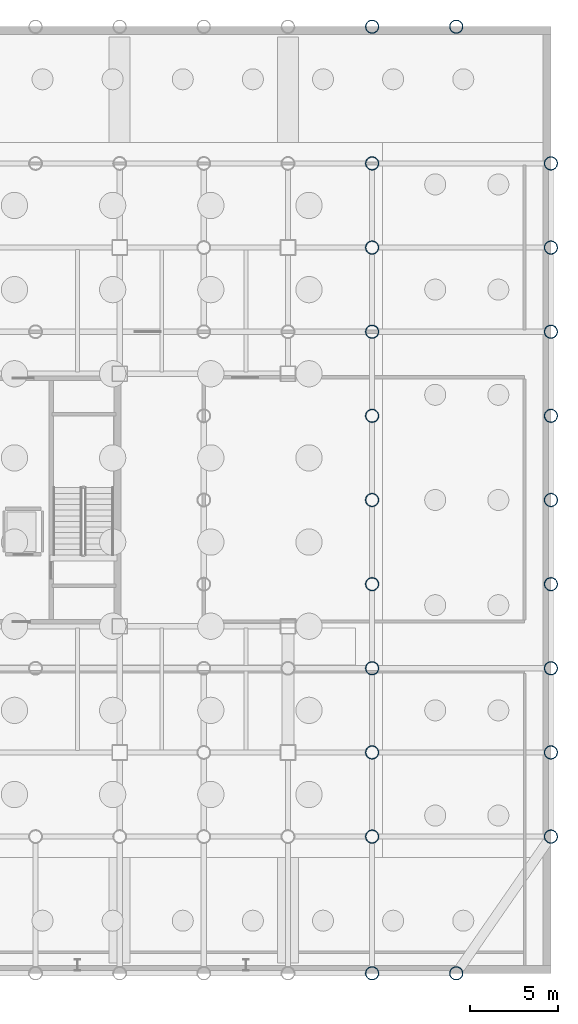
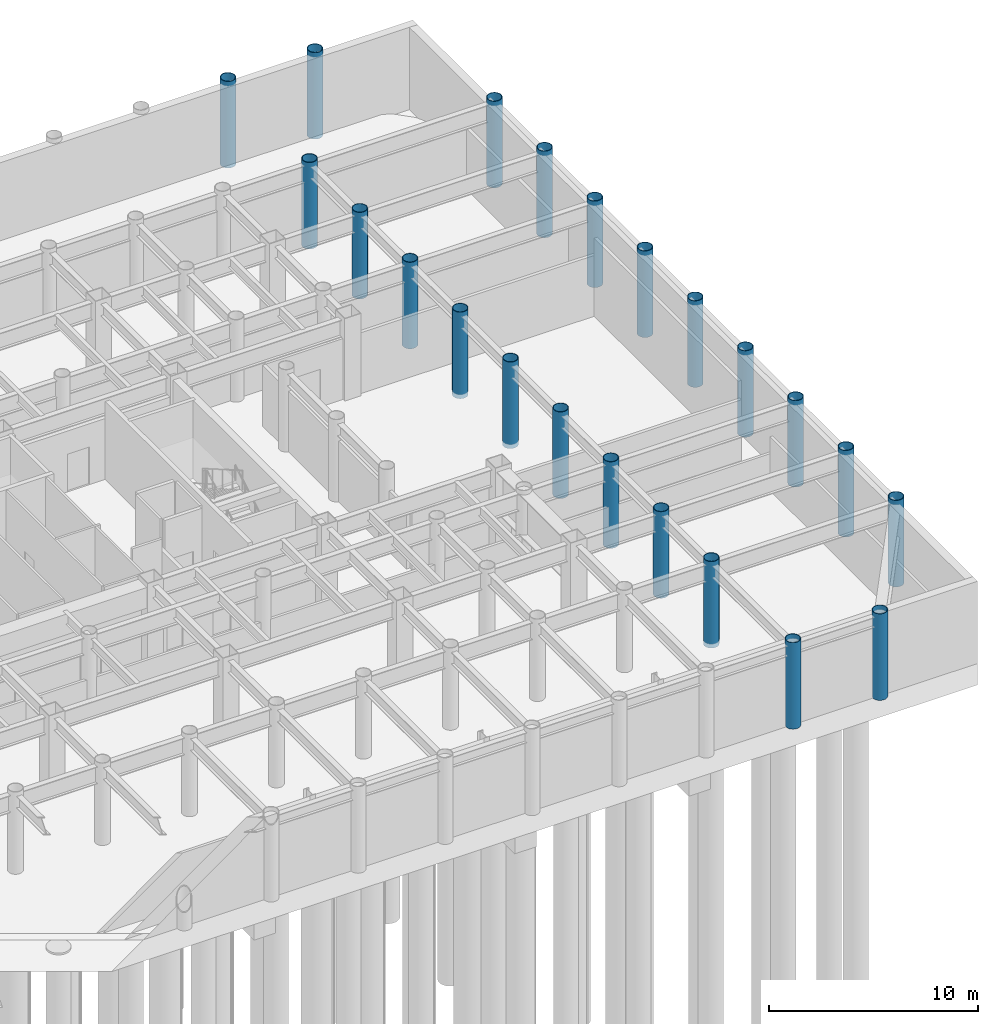
# One storey, part 5 of 17: 22 columns.
"""IFC4 building model written with IfcOpenShell, lengths in metres."""

from ifc_helpers import new_model, si_unit, direction, frame, origin, origin_2d, place, context, subcontext, project, spatial, hollow_circle, extrude, material, material_profile, profile_set, type_object, element, save


model = new_model("IFC4")

# Units and contexts
model_context = context("Model", 3, precision=1e-05, world=origin(), true_north=direction((0.0, 1.0)))
body_context = subcontext(model_context, "Body", "Model", "MODEL_VIEW")
ifc_project = project(units=[si_unit("LENGTHUNIT", "METRE"), si_unit("AREAUNIT", "SQUARE_METRE"), si_unit("VOLUMEUNIT", "CUBIC_METRE"), si_unit("PLANEANGLEUNIT", "RADIAN"), si_unit("MASSUNIT", "GRAM", prefix="KILO")], contexts=[model_context])

# Site, building, storey
site_placement = place(None, origin())
site = spatial("IfcSite", under=ifc_project, at=site_placement, CompositionType="ELEMENT")
building_placement = place(site_placement, origin())
building = spatial("IfcBuilding", under=site, at=building_placement, Name="Kallvorn Hotel Tower", CompositionType="ELEMENT")
storey_placement = place(building_placement, frame((0.0, 0.0, -10.199951171875)))
storey = spatial("IfcBuildingStorey", under=building, at=storey_placement, Name="B2", CompositionType="ELEMENT", Elevation=-10.199951171875)

# Columns
ifc_material = material(Name="Structural steel S355J2H", Category="steel")
ifc_material_profile = material_profile(ifc_material, hollow_circle(Radius=0.381103515625, WallThickness=0.031982421875, at=origin_2d()), Name="CHS 762x32")
ifc_profile_set = profile_set([ifc_material_profile], Name="Structural steel S355J2H")
column_type = type_object("IfcColumnType", Name="COL_CHS_762", PredefinedType="COLUMN", material=ifc_profile_set)
for number, where, z_axis, x_axis, name in (
    (1, (28.800048828125, -27.0, -0.25), (0.0, 0.0, 1.0), (1.0, 0.0, 0.0), "B2 Exoskeleton Column EC91"),
    (2, (28.800048828125, -19.199951171875, -0.25), (0.0, 0.0, 1.0), (1.0, 0.0, 0.0), "B2 Exoskeleton Column EC92"),
    (3, (28.800048828125, -14.39990234375, -0.25), (0.0, 0.0, 1.0), (1.0, 0.0, 0.0), "B2 Exoskeleton Column EC93"),
    (4, (28.800048828125, -9.60009765625, -0.25), (0.0, 0.0, 1.0), (1.0, 0.0, 0.0), "B2 Exoskeleton Column EC94"),
    (5, (28.800048828125, -4.800048828125, -0.25), (0.0, 0.0, 1.0), (1.0, 0.0, 0.0), "B2 Exoskeleton Column EC95"),
    (6, (28.800048828125, 0.0, -0.25), (0.0, 0.0, 1.0), (1.0, 0.0, 0.0), "B2 Exoskeleton Column EC96"),
    (7, (28.800048828125, 4.800048828125, -0.25), (0.0, 0.0, 1.0), (1.0, 0.0, 0.0), "B2 Exoskeleton Column EC97"),
    (8, (28.800048828125, 9.60009765625, -0.25), (0.0, 0.0, 1.0), (1.0, 0.0, 0.0), "B2 Exoskeleton Column EC98"),
    (9, (28.800048828125, 14.39990234375, -0.25), (0.0, 0.0, 1.0), (1.0, 0.0, 0.0), "B2 Exoskeleton Column EC99"),
    (10, (28.800048828125, 19.199951171875, -0.25), (0.0, 0.0, 1.0), (1.0, 0.0, 0.0), "B2 Exoskeleton Column EC100"),
    (11, (28.800048828125, 27.0, -0.25), (0.0, 0.0, 1.0), (1.0, 0.0, 0.0), "B2 Exoskeleton Column EC101"),
    (12, (33.60009765625, -27.0, -0.25), (0.0, 0.0, 1.0), (1.0, 0.0, 0.0), "B2 Exoskeleton Column EC102"),
    (13, (33.60009765625, 27.0, -0.25), (0.0, 0.0, 1.0), (1.0, 0.0, 0.0), "B2 Exoskeleton Column EC103"),
    (14, (39.0, -19.199951171875, -0.25), (0.0, 0.0, 1.0), (1.0, 0.0, 0.0), "B2 Exoskeleton Column EC104"),
    (15, (39.0, -14.39990234375, -0.25), (0.0, 0.0, 1.0), (1.0, 0.0, 0.0), "B2 Exoskeleton Column EC105"),
    (16, (39.0, -9.60009765625, -0.25), (0.0, 0.0, 1.0), (1.0, 0.0, 0.0), "B2 Exoskeleton Column EC106"),
    (17, (39.0, -4.800048828125, -0.25), (0.0, 0.0, 1.0), (1.0, 0.0, 0.0), "B2 Exoskeleton Column EC107"),
    (18, (39.0, 0.0, -0.25), (0.0, 0.0, 1.0), (1.0, 0.0, 0.0), "B2 Exoskeleton Column EC108"),
    (19, (39.0, 4.800048828125, -0.25), (0.0, 0.0, 1.0), (1.0, 0.0, 0.0), "B2 Exoskeleton Column EC109"),
    (20, (39.0, 9.60009765625, -0.25), (0.0, 0.0, 1.0), (1.0, 0.0, 0.0), "B2 Exoskeleton Column EC110"),
    (21, (39.0, 14.39990234375, -0.25), (0.0, 0.0, 1.0), (1.0, 0.0, 0.0), "B2 Exoskeleton Column EC111"),
    (22, (39.0, 19.199951171875, -0.25), (0.0, 0.0, 1.0), (1.0, 0.0, 0.0), "B2 Exoskeleton Column EC112"),
):
    element("IfcColumn", number, at=place(storey_placement, frame(where, z_axis=z_axis, x_axis=x_axis)), inside=storey, type_object=column_type, Name=name, PredefinedType="COLUMN", context=body_context, shape_type="SweptSolid", body=[
        extrude(hollow_circle(Radius=0.381103515625, WallThickness=0.031982421875, at=origin_2d()), origin(), (0.0, 0.0, 1.0), 5.050048828125),
    ])

save(model, "model.ifc")
